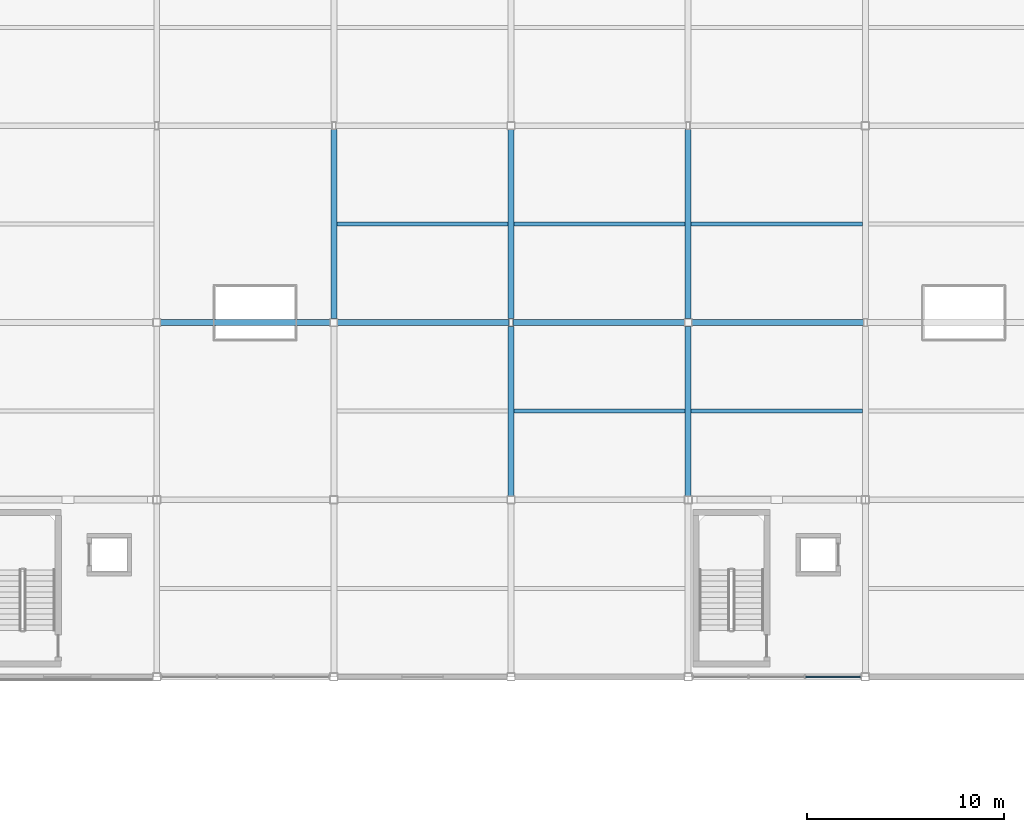
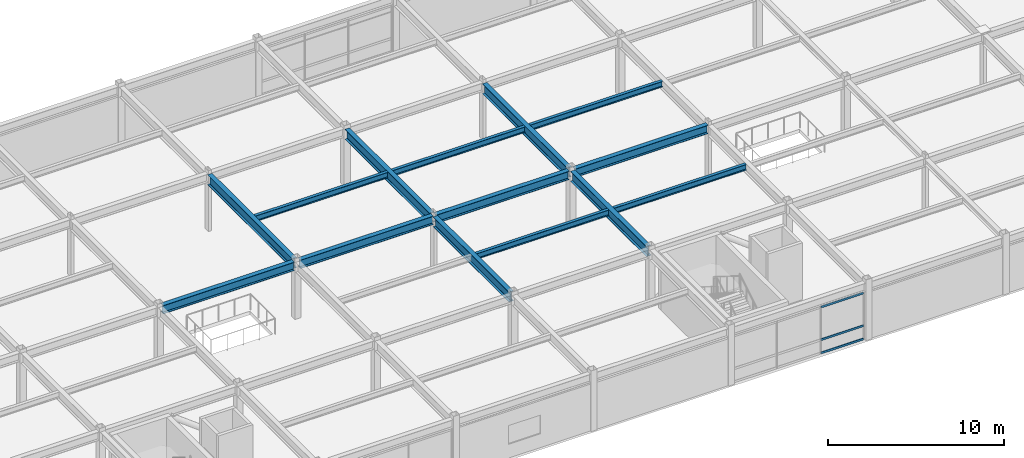
# One storey, part 27 of 70: 14 beams, 3 members, 1 element without a shape of its own.
"""IFC4 building model written with IfcOpenShell, lengths in metres."""

from ifc_helpers import new_model, si_unit, direction, frame, origin, origin_2d, place, context, subcontext, project, spatial, rectangle, i_section, extrude, material, material_profile, profile_set, type_object, element, aggregate, save


model = new_model("IFC4")

# Units and contexts
model_context = context("Model", 3, precision=1e-05, world=origin(), true_north=direction((0.0, 1.0)))
body_context = subcontext(model_context, "Body", "Model", "MODEL_VIEW")
ifc_project = project(units=[si_unit("LENGTHUNIT", "METRE"), si_unit("AREAUNIT", "SQUARE_METRE"), si_unit("VOLUMEUNIT", "CUBIC_METRE"), si_unit("PLANEANGLEUNIT", "RADIAN"), si_unit("MASSUNIT", "GRAM", prefix="KILO")], contexts=[model_context])

# Site, building, storey
site_placement = place(None, origin())
site = spatial("IfcSite", under=ifc_project, at=site_placement, CompositionType="ELEMENT")
building_placement = place(site_placement, origin())
building = spatial("IfcBuilding", under=site, at=building_placement, Name="Suzunagisa Mobility Hub", CompositionType="ELEMENT")
storey_placement = place(building_placement, frame((0.0, 0.0, 13.5)))
storey = spatial("IfcBuildingStorey", under=building, at=storey_placement, Name="L03", CompositionType="ELEMENT", Elevation=13.5)

# Curtain wall, members
ifc_material_1 = material(Name="Thermally Broken Anodized Aluminum and Low-E Glazing", Category="aluminium")
curtain_wall_type = type_object("IfcCurtainWallType", Name="Unitised Curtain Wall CW-18 8500x3200", PredefinedType="USERDEFINED", material=ifc_material_1)
curtain_wall_placement = place(storey_placement, origin())
curtain_wall = element("IfcCurtainWall", 1, at=curtain_wall_placement, inside=storey, type_object=curtain_wall_type, Name="L03 Unitised Curtain Wall CW-122", ObjectType="UNITISED CURTAIN WALL", PredefinedType="USERDEFINED")
ifc_material_2 = material(Name="Anodized Aluminum 6063-T6", Category="aluminium")
ifc_material_profile_1 = material_profile(ifc_material_2, rectangle(XDim=0.06494140625, YDim=0.139892578125, at=origin_2d()), Name="TRAN-65x140")
ifc_profile_set_1 = profile_set([ifc_material_profile_1], Name="Anodized Aluminum 6063-T6")
member_type = type_object("IfcMemberType", Name="Curtain Wall Framing CM-01 TRAN-65x140", PredefinedType="USERDEFINED", material=ifc_profile_set_1)
member_1_placement = place(storey_placement, frame((95.961181640625, 80.0, 0.032470703125), z_axis=(1.0, 0.0, 0.0), x_axis=(0.0, 1.0, 0.0)))
member_1 = element("IfcMember", 2, at=member_1_placement, type_object=member_type, Name="Curtain Wall Transom 122-T3.1", ObjectType="TRANSOM", PredefinedType="USERDEFINED", context=body_context, shape_type="SweptSolid", body=[
    extrude(rectangle(XDim=0.06494140625, YDim=0.139892578125, at=origin_2d()), origin(), (0.0, 0.0, 1.0), 2.78076171875),
])
member_2_placement = place(storey_placement, frame((95.961181640625, 80.0, 0.949951171875), z_axis=(1.0, 0.0, 0.0), x_axis=(0.0, 1.0, 0.0)))
member_2 = element("IfcMember", 3, at=member_2_placement, type_object=member_type, Name="Curtain Wall Transom 122-T3.2", ObjectType="TRANSOM", PredefinedType="USERDEFINED", context=body_context, shape_type="SweptSolid", body=[
    extrude(rectangle(XDim=0.06494140625, YDim=0.139892578125, at=origin_2d()), origin(), (0.0, 0.0, 1.0), 2.78076171875),
])
member_3_placement = place(storey_placement, frame((95.961181640625, 80.0, 3.217529296875), z_axis=(1.0, 0.0, 0.0), x_axis=(0.0, 1.0, 0.0)))
member_3 = element("IfcMember", 4, at=member_3_placement, type_object=member_type, Name="Curtain Wall Transom 122-T3.3", ObjectType="TRANSOM", PredefinedType="USERDEFINED", context=body_context, shape_type="SweptSolid", body=[
    extrude(rectangle(XDim=0.06494140625, YDim=0.139892578125, at=origin_2d()), origin(), (0.0, 0.0, 1.0), 2.78076171875),
])
aggregate(curtain_wall, [member_1, member_2, member_3])

# Beams
ifc_material_3 = material(Name="Steel SN490B", Category="steel")
ifc_material_profile_2 = material_profile(ifc_material_3, i_section(OverallWidth=0.300048828125, OverallDepth=0.699951171875, WebThickness=0.012939453125, FlangeThickness=0.02392578125, FilletRadius=0.01806640625, at=origin_2d()), Name="H-700x300x13x24")
ifc_profile_set_2 = profile_set([ifc_material_profile_2], Name="Steel SN490B")
beam_type_1 = type_object("IfcBeamType", Name="Steel Beam BM-11 H-700x300x13x24", PredefinedType="BEAM", material=ifc_profile_set_2)
beam_1_placement = place(storey_placement, frame((72.0, 98.196044921875, 3.60009765625), z_axis=(0.0, 1.0, 0.0), x_axis=(-1.0, 0.0, 0.0)))
element("IfcBeam", 5, at=beam_1_placement, inside=storey, type_object=beam_type_1, Name="L03 Primary Girder GY-1077", PredefinedType="BEAM", context=body_context, shape_type="SweptSolid", body=[
    extrude(i_section(OverallWidth=0.300048828125, OverallDepth=0.699951171875, WebThickness=0.012939453125, FlangeThickness=0.02392578125, FilletRadius=0.01806640625, at=origin_2d()), origin(), (0.0, 0.0, 1.0), 9.60791015625),
])
beam_2_placement = place(storey_placement, frame((81.0, 89.196044921875, 3.60009765625), z_axis=(0.0, 1.0, 0.0), x_axis=(-1.0, 0.0, 0.0)))
element("IfcBeam", 6, at=beam_2_placement, inside=storey, type_object=beam_type_1, Name="L03 Primary Girder GY-1080", PredefinedType="BEAM", context=body_context, shape_type="SweptSolid", body=[
    extrude(i_section(OverallWidth=0.300048828125, OverallDepth=0.699951171875, WebThickness=0.012939453125, FlangeThickness=0.02392578125, FilletRadius=0.01806640625, at=origin_2d()), origin(), (0.0, 0.0, 1.0), 8.60791015625),
])
beam_3_placement = place(storey_placement, frame((81.0, 98.196044921875, 3.60009765625), z_axis=(0.0, 1.0, 0.0), x_axis=(-1.0, 0.0, 0.0)))
element("IfcBeam", 7, at=beam_3_placement, inside=storey, type_object=beam_type_1, Name="L03 Primary Girder GY-1081", PredefinedType="BEAM", context=body_context, shape_type="SweptSolid", body=[
    extrude(i_section(OverallWidth=0.300048828125, OverallDepth=0.699951171875, WebThickness=0.012939453125, FlangeThickness=0.02392578125, FilletRadius=0.01806640625, at=origin_2d()), origin(), (0.0, 0.0, 1.0), 9.60791015625),
])
beam_4_placement = place(storey_placement, frame((90.0, 89.196044921875, 3.60009765625), z_axis=(0.0, 1.0, 0.0), x_axis=(-1.0, 0.0, 0.0)))
element("IfcBeam", 8, at=beam_4_placement, inside=storey, type_object=beam_type_1, Name="L03 Primary Girder GY-1084", PredefinedType="BEAM", context=body_context, shape_type="SweptSolid", body=[
    extrude(i_section(OverallWidth=0.300048828125, OverallDepth=0.699951171875, WebThickness=0.012939453125, FlangeThickness=0.02392578125, FilletRadius=0.01806640625, at=origin_2d()), origin(), (0.0, 0.0, 1.0), 8.60791015625),
])
beam_5_placement = place(storey_placement, frame((90.0, 98.196044921875, 3.60009765625), z_axis=(0.0, 1.0, 0.0), x_axis=(-1.0, 0.0, 0.0)))
element("IfcBeam", 9, at=beam_5_placement, inside=storey, type_object=beam_type_1, Name="L03 Primary Girder GY-1085", PredefinedType="BEAM", context=body_context, shape_type="SweptSolid", body=[
    extrude(i_section(OverallWidth=0.300048828125, OverallDepth=0.699951171875, WebThickness=0.012939453125, FlangeThickness=0.02392578125, FilletRadius=0.01806640625, at=origin_2d()), origin(), (0.0, 0.0, 1.0), 9.60791015625),
])
ifc_material_4 = material(Name="Steel SN400B", Category="steel")
ifc_material_profile_3 = material_profile(ifc_material_4, i_section(OverallWidth=0.199951171875, OverallDepth=0.39990234375, WebThickness=0.008056640625, FlangeThickness=0.012939453125, FilletRadius=0.012939453125, at=origin_2d()), Name="H-400x200x8x13")
ifc_profile_set_3 = profile_set([ifc_material_profile_3], Name="Steel SN400B")
beam_type_2 = type_object("IfcBeamType", Name="Steel Beam BM-14 H-400x200x8x13", PredefinedType="JOIST", material=ifc_profile_set_3)
for number, where, z_axis, x_axis, name in (
    (10, (72.14990234375, 103.0, 3.75), (1.0, 0.0, 0.0), (0.0, 1.0, 0.0), "L03 Composite Floor Joist J-1106"),
    (11, (81.14990234375, 93.5, 3.75), (1.0, 0.0, 0.0), (0.0, 1.0, 0.0), "L03 Composite Floor Joist J-1109"),
    (12, (81.14990234375, 103.0, 3.75), (1.0, 0.0, 0.0), (0.0, 1.0, 0.0), "L03 Composite Floor Joist J-1110"),
    (13, (90.14990234375, 93.5, 3.75), (1.0, 0.0, 0.0), (0.0, 1.0, 0.0), "L03 Composite Floor Joist J-1112"),
    (14, (90.14990234375, 103.0, 3.75), (1.0, 0.0, 0.0), (0.0, 1.0, 0.0), "L03 Composite Floor Joist J-1113"),
):
    element("IfcBeam", number, at=place(storey_placement, frame(where, z_axis=z_axis, x_axis=x_axis)), inside=storey, type_object=beam_type_2, Name=name, PredefinedType="JOIST", context=body_context, shape_type="SweptSolid", body=[
        extrude(i_section(OverallWidth=0.199951171875, OverallDepth=0.39990234375, WebThickness=0.008056640625, FlangeThickness=0.012939453125, FilletRadius=0.012939453125, at=origin_2d()), origin(), (0.0, 0.0, 1.0), 8.7001953125),
    ])
ifc_material_profile_4 = material_profile(ifc_material_3, i_section(OverallWidth=0.300048828125, OverallDepth=0.587890625, WebThickness=0.011962890625, FlangeThickness=0.02001953125, FilletRadius=0.012939453125, at=origin_2d()), Name="H-588x300x12x20")
ifc_profile_set_4 = profile_set([ifc_material_profile_4], Name="Steel SN490B")
beam_type_3 = type_object("IfcBeamType", Name="Steel Beam BM-16 H-588x300x12x20", PredefinedType="BEAM", material=ifc_profile_set_4)
beam_6_placement = place(storey_placement, frame((63.196044921875, 98.0, 3.656005859375), z_axis=(1.0, 0.0, 0.0), x_axis=(0.0, 1.0, 0.0)))
element("IfcBeam", 15, at=beam_6_placement, inside=storey, type_object=beam_type_3, Name="L03 Primary Girder GX-1044", PredefinedType="BEAM", context=body_context, shape_type="SweptSolid", body=[
    extrude(i_section(OverallWidth=0.300048828125, OverallDepth=0.587890625, WebThickness=0.011962890625, FlangeThickness=0.02001953125, FilletRadius=0.012939453125, at=origin_2d()), origin(), (0.0, 0.0, 1.0), 8.60791015625),
])
for number, where, z_axis, x_axis, name in (
    (16, (72.196044921875, 98.0, 3.656005859375), (1.0, 0.0, 0.0), (0.0, 1.0, 0.0), "L03 Primary Girder GX-1045"),
    (17, (81.095947265625, 98.0, 3.656005859375), (1.0, 0.0, 0.0), (0.0, 1.0, 0.0), "L03 Primary Girder GX-1046"),
    (18, (90.196044921875, 98.0, 3.656005859375), (1.0, 0.0, 0.0), (0.0, 1.0, 0.0), "L03 Primary Girder GX-1047"),
):
    element("IfcBeam", number, at=place(storey_placement, frame(where, z_axis=z_axis, x_axis=x_axis)), inside=storey, type_object=beam_type_3, Name=name, PredefinedType="BEAM", context=body_context, shape_type="SweptSolid", body=[
        extrude(i_section(OverallWidth=0.300048828125, OverallDepth=0.587890625, WebThickness=0.011962890625, FlangeThickness=0.02001953125, FilletRadius=0.012939453125, at=origin_2d()), origin(), (0.0, 0.0, 1.0), 8.7080078125),
    ])

save(model, "model.ifc")
